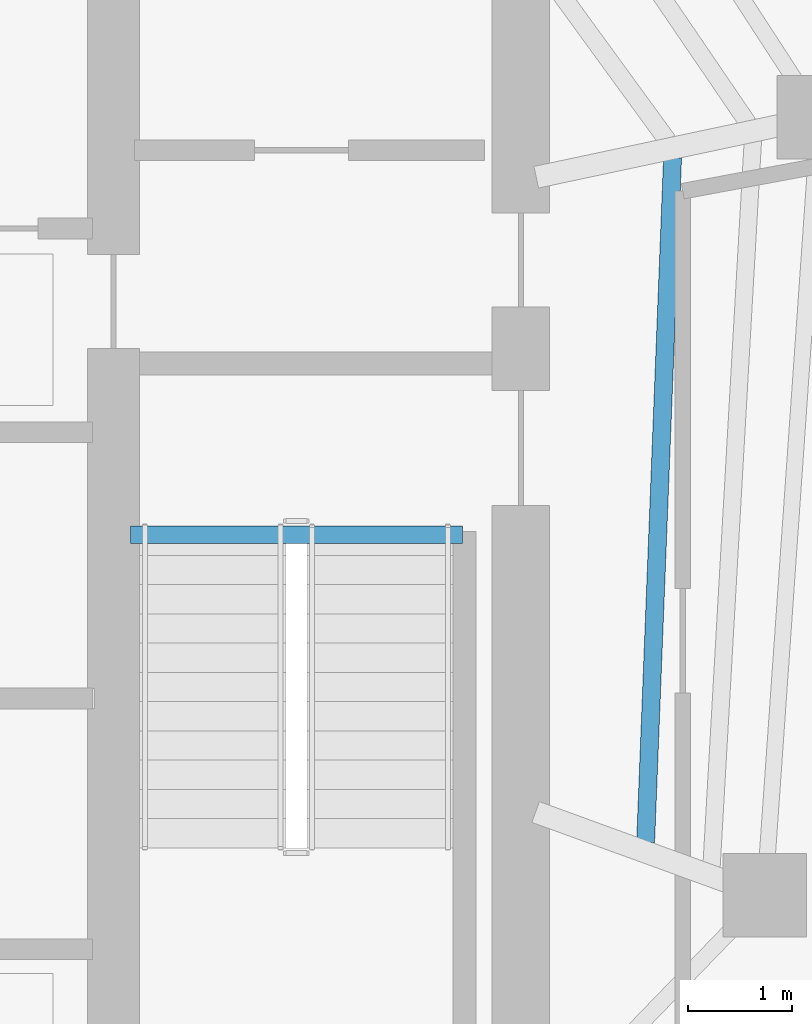
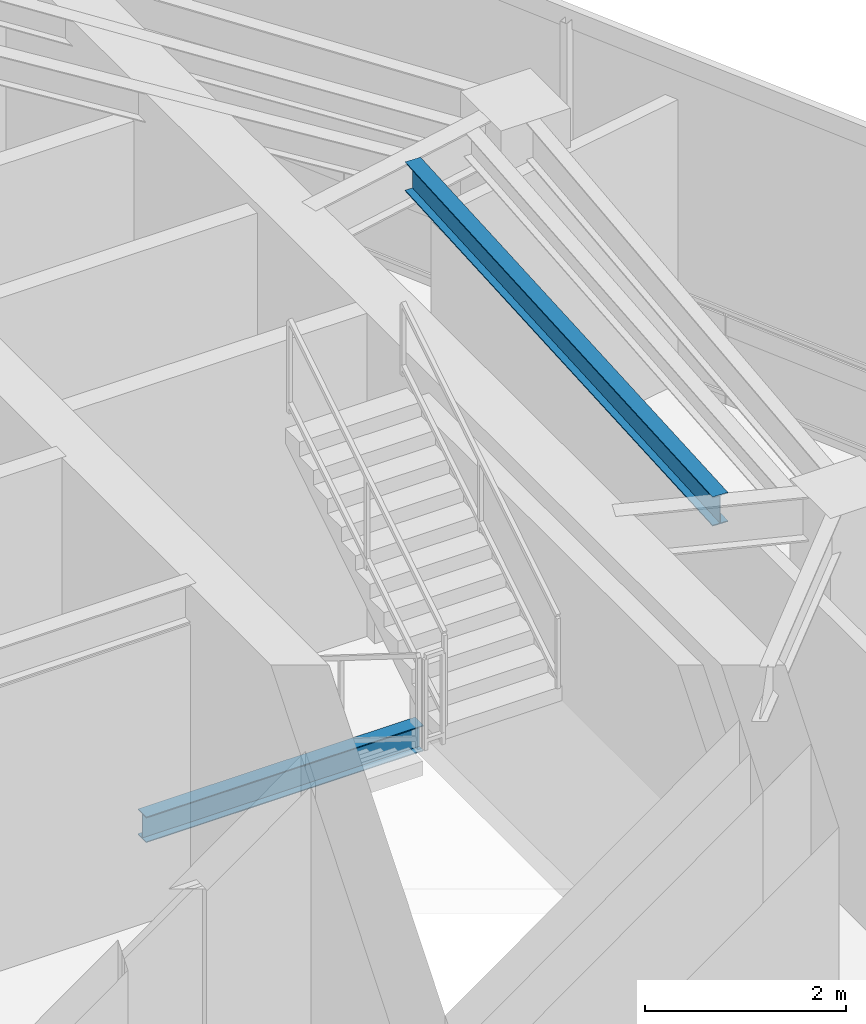
# One storey, part 5 of 19: 2 beams.
"""IFC4 building model written with IfcOpenShell, lengths in metres."""

from ifc_helpers import new_model, si_unit, direction, frame, origin, origin_2d, place, context, subcontext, project, spatial, i_section, extrude, material, material_profile, profile_set, type_object, element, save


model = new_model("IFC4")

# Units and contexts
model_context = context("Model", 3, precision=1e-05, world=origin(), true_north=direction((0.0, 1.0)))
body_context = subcontext(model_context, "Body", "Model", "MODEL_VIEW")
ifc_project = project(units=[si_unit("LENGTHUNIT", "METRE"), si_unit("AREAUNIT", "SQUARE_METRE"), si_unit("VOLUMEUNIT", "CUBIC_METRE"), si_unit("PLANEANGLEUNIT", "RADIAN"), si_unit("MASSUNIT", "GRAM", prefix="KILO")], contexts=[model_context])

# Site, building, storey
site_placement = place(None, origin())
site = spatial("IfcSite", under=ifc_project, at=site_placement, CompositionType="ELEMENT")
building_placement = place(site_placement, origin())
building = spatial("IfcBuilding", under=site, at=building_placement, Name="Qarnah Convention Tower", CompositionType="ELEMENT")
storey_placement = place(building_placement, frame((0.0, 0.0, 275.10009765625)))
storey = spatial("IfcBuildingStorey", under=building, at=storey_placement, Name="L74", CompositionType="ELEMENT", Elevation=275.10009765625)

# Beams
ifc_material = material(Name="Structural steel S355JR", Category="steel")
ifc_material_profile_1 = material_profile(ifc_material, i_section(OverallWidth=0.166015625, OverallDepth=0.31201171875, WebThickness=0.007080078125, FlangeThickness=0.010986328125, at=origin_2d()), Name="W310X45")
ifc_profile_set_1 = profile_set([ifc_material_profile_1], Name="Structural steel S355JR")
beam_type_1 = type_object("IfcBeamType", Name="BM-JST-W310", PredefinedType="JOIST", material=ifc_profile_set_1)
beam_1_placement = place(storey_placement, frame((43.860107421875, 25.217041015625, -0.156005859375), z_axis=(1.0, 0.0, 0.0), x_axis=(0.0, 1.0, 0.0)))
element("IfcBeam", 1, at=beam_1_placement, inside=storey, type_object=beam_type_1, Name="L74 stair landing trimmer beam BM-L74-ST2-TRM", PredefinedType="BEAM", context=body_context, shape_type="SweptSolid", body=[
    extrude(i_section(OverallWidth=0.166015625, OverallDepth=0.31201171875, WebThickness=0.007080078125, FlangeThickness=0.010986328125, at=origin_2d()), origin(), (0.0, 0.0, 1.0), 3.179931640625),
])
ifc_material_profile_2 = material_profile(ifc_material, i_section(OverallWidth=0.172119140625, OverallDepth=0.35595703125, WebThickness=0.007080078125, FlangeThickness=0.011962890625, at=origin_2d()), Name="W360X51")
ifc_profile_set_2 = profile_set([ifc_material_profile_2], Name="Structural steel S355JR")
beam_type_2 = type_object("IfcBeamType", Name="BM-JST-W360", PredefinedType="JOIST", material=ifc_profile_set_2)
beam_2_placement = place(storey_placement, frame((48.7939453125, 22.27197265625, 3.741943359375), z_axis=(0.039318838444, 0.999226715487, 0.0), x_axis=(-0.999226715487, 0.039318838444, 0.0)))
element("IfcBeam", 2, at=beam_2_placement, inside=storey, type_object=beam_type_2, Name="L74 joist BM-L74-IJST-09", PredefinedType="JOIST", context=body_context, shape_type="SweptSolid", body=[
    extrude(i_section(OverallWidth=0.172119140625, OverallDepth=0.35595703125, WebThickness=0.007080078125, FlangeThickness=0.011962890625, at=origin_2d()), origin(), (0.0, 0.0, 1.0), 6.563232421875),
])

save(model, "model.ifc")
